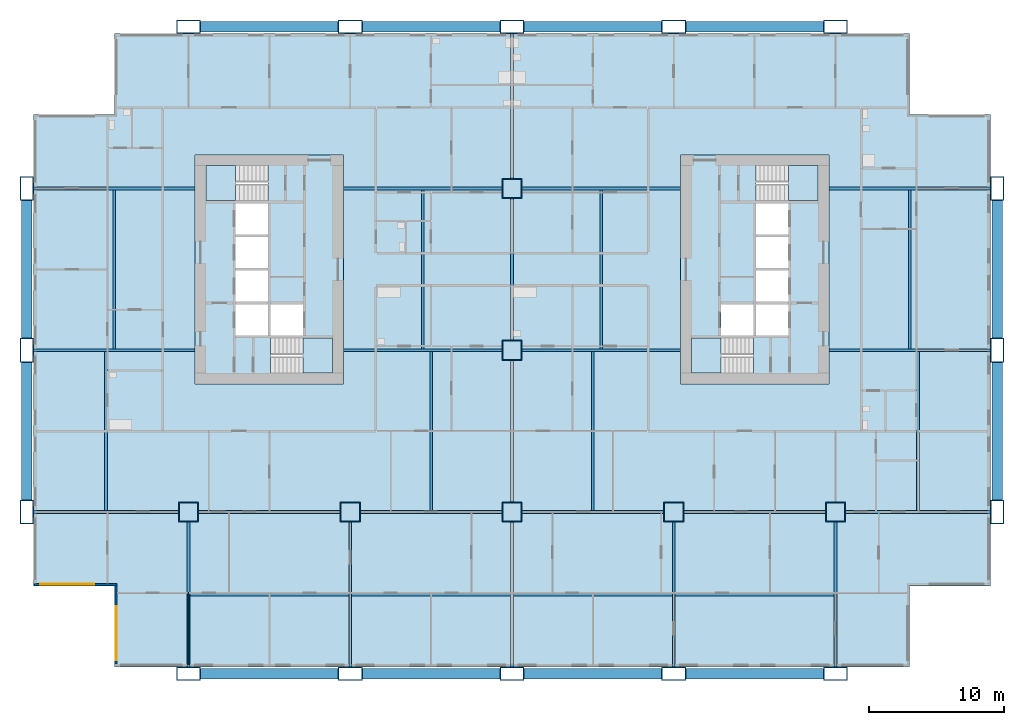
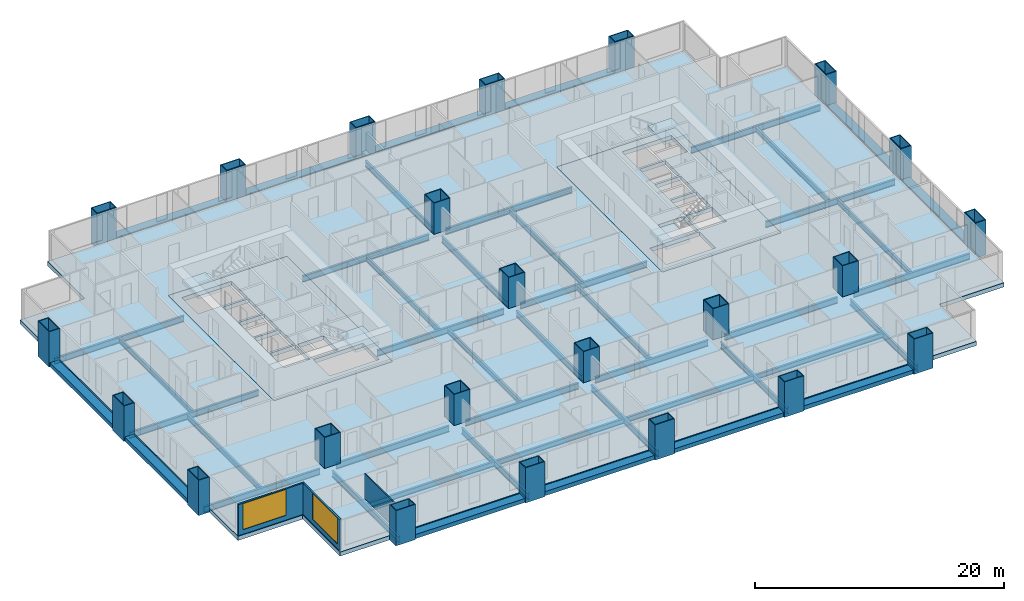
# One storey, part 1 of 14: 46 beams, 23 columns, 7 slabs, 3 walls, 2 windows, 2 openings, 4 elements without a shape of their own.
"""IFC4 building model written with IfcOpenShell, lengths in metres."""

from ifc_helpers import new_model, si_unit, direction, frame, frame_2d, origin, origin_2d, place, context, subcontext, project, spatial, polyline, rectangle, hollow_rectangle, i_section, outline, extrude, material, layer, layer_set, material_profile, profile_set, type_object, element, fill, aggregate, save


model = new_model("IFC4")

# Units and contexts
model_context = context("Model", 3, precision=1e-05, world=origin(), true_north=direction((0.0, 1.0)))
body_context = subcontext(model_context, "Body", "Model", "MODEL_VIEW")
ifc_project = project(units=[si_unit("LENGTHUNIT", "METRE"), si_unit("AREAUNIT", "SQUARE_METRE"), si_unit("VOLUMEUNIT", "CUBIC_METRE"), si_unit("PLANEANGLEUNIT", "RADIAN"), si_unit("MASSUNIT", "GRAM", prefix="KILO")], contexts=[model_context])

# Site, building, storey
site_placement = place(None, origin())
site = spatial("IfcSite", under=ifc_project, at=site_placement, CompositionType="ELEMENT")
building_placement = place(site_placement, origin())
building = spatial("IfcBuilding", under=site, at=building_placement, Name="Kitamizu Gate Tower and Museum", CompositionType="ELEMENT")
storey_placement = place(building_placement, frame((0.0, 0.0, 33.449951171875)))
storey = spatial("IfcBuildingStorey", under=building, at=storey_placement, Name="L06", CompositionType="ELEMENT", Elevation=33.449951171875)

# Columns
ifc_material_1 = material(Name="Steel SM490A bronze coated", Category="steel")
ifc_material_profile_1 = material_profile(ifc_material_1, hollow_rectangle(XDim=1.800048828125, YDim=1.0, WallThickness=0.070068359375, at=origin_2d()), Name="BOX 1800x1000x70")
ifc_profile_set_1 = profile_set([ifc_material_profile_1], Name="Steel SM490A bronze coated")
column_type_1 = type_object("IfcColumnType", Name="Exoskeleton column XC2 BOX 1800x1000x70", PredefinedType="COLUMN", material=ifc_profile_set_1)
for number, where, z_axis, x_axis, name in (
    (1, (0.0, 12.0, -0.39990234375), (0.0, 0.0, 1.0), (0.0, 1.0, 0.0), "Column XC2 1B L06"),
    (2, (0.0, 24.0, -0.39990234375), (0.0, 0.0, 1.0), (0.0, 1.0, 0.0), "Column XC2 1C L06"),
    (3, (0.0, 36.0, -0.39990234375), (0.0, 0.0, 1.0), (0.0, 1.0, 0.0), "Column XC2 1D L06"),
    (4, (12.0, 0.0, -0.39990234375), (0.0, 0.0, 1.0), (1.0, 0.0, 0.0), "Column XC2 2A L06"),
    (5, (12.0, 48.0, -0.39990234375), (0.0, 0.0, 1.0), (1.0, 0.0, 0.0), "Column XC2 2E L06"),
    (6, (24.0, 0.0, -0.39990234375), (0.0, 0.0, 1.0), (1.0, 0.0, 0.0), "Column XC2 3A L06"),
    (7, (24.0, 48.0, -0.39990234375), (0.0, 0.0, 1.0), (1.0, 0.0, 0.0), "Column XC2 3E L06"),
    (8, (36.0, 0.0, -0.39990234375), (0.0, 0.0, 1.0), (1.0, 0.0, 0.0), "Column XC2 4A L06"),
    (9, (36.0, 48.0, -0.39990234375), (0.0, 0.0, 1.0), (1.0, 0.0, 0.0), "Column XC2 4E L06"),
    (10, (48.0, 0.0, -0.39990234375), (0.0, 0.0, 1.0), (1.0, 0.0, 0.0), "Column XC2 5A L06"),
    (11, (48.0, 48.0, -0.39990234375), (0.0, 0.0, 1.0), (1.0, 0.0, 0.0), "Column XC2 5E L06"),
    (12, (60.0, 0.0, -0.39990234375), (0.0, 0.0, 1.0), (1.0, 0.0, 0.0), "Column XC2 6A L06"),
    (13, (60.0, 48.0, -0.39990234375), (0.0, 0.0, 1.0), (1.0, 0.0, 0.0), "Column XC2 6E L06"),
    (14, (72.0, 12.0, -0.39990234375), (0.0, 0.0, 1.0), (0.0, 1.0, 0.0), "Column XC2 7B L06"),
    (15, (72.0, 24.0, -0.39990234375), (0.0, 0.0, 1.0), (0.0, 1.0, 0.0), "Column XC2 7C L06"),
    (16, (72.0, 36.0, -0.39990234375), (0.0, 0.0, 1.0), (0.0, 1.0, 0.0), "Column XC2 7D L06"),
):
    element("IfcColumn", number, at=place(storey_placement, frame(where, z_axis=z_axis, x_axis=x_axis)), inside=storey, type_object=column_type_1, Name=name, PredefinedType="COLUMN", context=body_context, shape_type="SweptSolid", body=[
        extrude(hollow_rectangle(XDim=1.800048828125, YDim=1.0, WallThickness=0.070068359375, at=origin_2d()), origin(), (0.0, 0.0, 1.0), 3.449951171875),
    ])
ifc_material_2 = material(Name="Steel SM490A", Category="steel")
ifc_material_profile_2 = material_profile(ifc_material_2, hollow_rectangle(XDim=1.5, YDim=1.5, WallThickness=0.06494140625, at=origin_2d()), Name="BOX 1500x1500x65")
ifc_profile_set_2 = profile_set([ifc_material_profile_2], Name="Steel SM490A")
column_type_2 = type_object("IfcColumnType", Name="Interior column IC2 BOX 1500x1500x65", PredefinedType="COLUMN", material=ifc_profile_set_2)
for number, where, z_axis, x_axis, name in (
    (17, (12.0, 12.0, 0.0), (0.0, 0.0, 1.0), (1.0, 0.0, 0.0), "Column IC2 2B L06"),
    (18, (24.0, 12.0, 0.0), (0.0, 0.0, 1.0), (1.0, 0.0, 0.0), "Column IC2 3B L06"),
    (19, (36.0, 12.0, 0.0), (0.0, 0.0, 1.0), (1.0, 0.0, 0.0), "Column IC2 4B L06"),
    (20, (36.0, 24.0, 0.0), (0.0, 0.0, 1.0), (1.0, 0.0, 0.0), "Column IC2 4C L06"),
    (21, (36.0, 36.0, 0.0), (0.0, 0.0, 1.0), (1.0, 0.0, 0.0), "Column IC2 4D L06"),
    (22, (48.0, 12.0, 0.0), (0.0, 0.0, 1.0), (1.0, 0.0, 0.0), "Column IC2 5B L06"),
    (23, (60.0, 12.0, 0.0), (0.0, 0.0, 1.0), (1.0, 0.0, 0.0), "Column IC2 6B L06"),
):
    element("IfcColumn", number, at=place(storey_placement, frame(where, z_axis=z_axis, x_axis=x_axis)), inside=storey, type_object=column_type_2, Name=name, PredefinedType="COLUMN", context=body_context, shape_type="SweptSolid", body=[
        extrude(hollow_rectangle(XDim=1.5, YDim=1.5, WallThickness=0.06494140625, at=origin_2d()), origin(), (0.0, 0.0, 1.0), 3.050048828125),
    ])

# Beams
ifc_material_3 = material(Name="Steel SM490A bronze coated", Category="steel")
ifc_material_profile_3 = material_profile(ifc_material_3, hollow_rectangle(XDim=0.800048828125, YDim=0.39990234375, WallThickness=0.0400390625, at=origin_2d()), Name="BOX 800x400x40")
ifc_profile_set_3 = profile_set([ifc_material_profile_3], Name="Steel SM490A bronze coated")
beam_type_1 = type_object("IfcBeamType", Name="Exoskeleton spandrel beam SB1 BOX 800x400x40", PredefinedType="SPANDREL", material=ifc_profile_set_3)
for number, where, z_axis, x_axis, name in (
    (24, (12.89990234375, 0.0, -0.199951171875), (1.0, 0.0, 0.0), (0.0, 1.0, 0.0), "Exoskeleton spandrel beam south 12 L06"),
    (25, (24.89990234375, 0.0, -0.199951171875), (1.0, 0.0, 0.0), (0.0, 1.0, 0.0), "Exoskeleton spandrel beam south 24 L06"),
    (26, (36.89990234375, 0.0, -0.199951171875), (1.0, 0.0, 0.0), (0.0, 1.0, 0.0), "Exoskeleton spandrel beam south 36 L06"),
    (27, (48.89990234375, 0.0, -0.199951171875), (1.0, 0.0, 0.0), (0.0, 1.0, 0.0), "Exoskeleton spandrel beam south 48 L06"),
    (28, (12.89990234375, 48.0, -0.199951171875), (1.0, 0.0, 0.0), (0.0, 1.0, 0.0), "Exoskeleton spandrel beam north 12 L06"),
    (29, (24.89990234375, 48.0, -0.199951171875), (1.0, 0.0, 0.0), (0.0, 1.0, 0.0), "Exoskeleton spandrel beam north 24 L06"),
    (30, (36.89990234375, 48.0, -0.199951171875), (1.0, 0.0, 0.0), (0.0, 1.0, 0.0), "Exoskeleton spandrel beam north 36 L06"),
    (31, (48.89990234375, 48.0, -0.199951171875), (1.0, 0.0, 0.0), (0.0, 1.0, 0.0), "Exoskeleton spandrel beam north 48 L06"),
    (32, (0.0, 12.89990234375, -0.199951171875), (0.0, 1.0, 0.0), (-1.0, 0.0, 0.0), "Exoskeleton spandrel beam west 12 L06"),
    (33, (0.0, 24.89990234375, -0.199951171875), (0.0, 1.0, 0.0), (-1.0, 0.0, 0.0), "Exoskeleton spandrel beam west 24 L06"),
    (34, (72.0, 12.89990234375, -0.199951171875), (0.0, 1.0, 0.0), (-1.0, 0.0, 0.0), "Exoskeleton spandrel beam east 12 L06"),
    (35, (72.0, 24.89990234375, -0.199951171875), (0.0, 1.0, 0.0), (-1.0, 0.0, 0.0), "Exoskeleton spandrel beam east 24 L06"),
):
    element("IfcBeam", number, at=place(storey_placement, frame(where, z_axis=z_axis, x_axis=x_axis)), inside=storey, type_object=beam_type_1, Name=name, PredefinedType="SPANDREL", context=body_context, shape_type="SweptSolid", body=[
        extrude(hollow_rectangle(XDim=0.800048828125, YDim=0.39990234375, WallThickness=0.0400390625, at=origin_2d()), origin(), (0.0, 0.0, 1.0), 10.2001953125),
    ])
ifc_material_4 = material(Name="Steel SM490A", Category="steel")
ifc_material_profile_4 = material_profile(ifc_material_4, i_section(OverallWidth=0.199951171875, OverallDepth=0.5, WebThickness=0.010009765625, FlangeThickness=0.01611328125, FilletRadius=0.02001953125, at=origin_2d()), Name="H-500x200x10x16")
ifc_profile_set_4 = profile_set([ifc_material_profile_4], Name="Steel SM490A")
beam_type_2 = type_object("IfcBeamType", Name="Floor beam FB1 H 500x200x10x16", PredefinedType="BEAM", material=ifc_profile_set_4)
for number, where, z_axis, x_axis, name in (
    (36, (12.10009765625, 5.875, -0.64990234375), (1.0, 0.0, 0.0), (0.0, 1.0, 0.0), "Floor beam FB1 L06-1"),
    (37, (24.10009765625, 5.875, -0.64990234375), (1.0, 0.0, 0.0), (0.0, 1.0, 0.0), "Floor beam FB1 L06-2"),
    (38, (36.10009765625, 5.875, -0.64990234375), (1.0, 0.0, 0.0), (0.0, 1.0, 0.0), "Floor beam FB1 L06-3"),
    (39, (48.10009765625, 5.875, -0.64990234375), (1.0, 0.0, 0.0), (0.0, 1.0, 0.0), "Floor beam FB1 L06-4"),
    (40, (5.875, 12.10009765625, -0.64990234375), (0.0, 1.0, 0.0), (-1.0, 0.0, 0.0), "Floor beam FB1 L06-5"),
    (41, (30.0, 12.10009765625, -0.64990234375), (0.0, 1.0, 0.0), (-1.0, 0.0, 0.0), "Floor beam FB1 L06-6"),
    (42, (42.0, 12.10009765625, -0.64990234375), (0.0, 1.0, 0.0), (-1.0, 0.0, 0.0), "Floor beam FB1 L06-7"),
    (43, (66.125, 12.10009765625, -0.64990234375), (0.0, 1.0, 0.0), (-1.0, 0.0, 0.0), "Floor beam FB1 L06-8"),
    (44, (6.5, 24.10009765625, -0.64990234375), (0.0, 1.0, 0.0), (-1.0, 0.0, 0.0), "Floor beam FB1 L06-9"),
    (45, (29.375, 24.10009765625, -0.64990234375), (0.0, 1.0, 0.0), (-1.0, 0.0, 0.0), "Floor beam FB1 L06-10"),
    (46, (42.625, 24.10009765625, -0.64990234375), (0.0, 1.0, 0.0), (-1.0, 0.0, 0.0), "Floor beam FB1 L06-11"),
    (47, (65.5, 24.10009765625, -0.64990234375), (0.0, 1.0, 0.0), (-1.0, 0.0, 0.0), "Floor beam FB1 L06-12"),
):
    element("IfcBeam", number, at=place(storey_placement, frame(where, z_axis=z_axis, x_axis=x_axis)), inside=storey, type_object=beam_type_2, Name=name, PredefinedType="BEAM", context=body_context, shape_type="SweptSolid", body=[
        extrude(i_section(OverallWidth=0.199951171875, OverallDepth=0.5, WebThickness=0.010009765625, FlangeThickness=0.01611328125, FilletRadius=0.02001953125, at=origin_2d()), origin(), (0.0, 0.0, 1.0), 11.7998046875),
    ])
ifc_material_5 = material(Name="Steel SM490A", Category="steel")
ifc_material_profile_5 = material_profile(ifc_material_5, i_section(OverallWidth=0.199951171875, OverallDepth=0.60009765625, WebThickness=0.010986328125, FlangeThickness=0.01708984375, FilletRadius=0.02197265625, at=origin_2d()), Name="H-600x200x11x17")
ifc_profile_set_5 = profile_set([ifc_material_profile_5], Name="Steel SM490A")
beam_type_3 = type_object("IfcBeamType", Name="Floor girder FG1 H 600x200x11x17", PredefinedType="BEAM", material=ifc_profile_set_5)
for number, where, z_axis, x_axis, name in (
    (48, (12.0, 0.5, -0.699951171875), (0.0, 1.0, 0.0), (-1.0, 0.0, 0.0), "Floor girder FG1 x12 L06"),
    (49, (24.0, 0.5, -0.699951171875), (0.0, 1.0, 0.0), (-1.0, 0.0, 0.0), "Floor girder FG1 x24 L06"),
    (50, (36.0, 0.5, -0.699951171875), (0.0, 1.0, 0.0), (-1.0, 0.0, 0.0), "Floor girder FG1 x36 L06"),
):
    element("IfcBeam", number, at=place(storey_placement, frame(where, z_axis=z_axis, x_axis=x_axis)), inside=storey, type_object=beam_type_3, Name=name, PredefinedType="BEAM", context=body_context, shape_type="SweptSolid", body=[
        extrude(i_section(OverallWidth=0.199951171875, OverallDepth=0.60009765625, WebThickness=0.010986328125, FlangeThickness=0.01708984375, FilletRadius=0.02197265625, at=origin_2d()), origin(), (0.0, 0.0, 1.0), 10.75),
    ])
for number, where, z_axis, x_axis, name in (
    (51, (36.0, 12.75, -0.699951171875), (0.0, 1.0, 0.0), (-1.0, 0.0, 0.0), "Floor girder FG1 x36 L06"),
    (52, (36.0, 24.75, -0.699951171875), (0.0, 1.0, 0.0), (-1.0, 0.0, 0.0), "Floor girder FG1 x36 L06"),
):
    element("IfcBeam", number, at=place(storey_placement, frame(where, z_axis=z_axis, x_axis=x_axis)), inside=storey, type_object=beam_type_3, Name=name, PredefinedType="BEAM", context=body_context, shape_type="SweptSolid", body=[
        extrude(i_section(OverallWidth=0.199951171875, OverallDepth=0.60009765625, WebThickness=0.010986328125, FlangeThickness=0.01708984375, FilletRadius=0.02197265625, at=origin_2d()), origin(), (0.0, 0.0, 1.0), 10.5),
    ])
for number, where, z_axis, x_axis, name in (
    (53, (36.0, 36.75, -0.699951171875), (0.0, 1.0, 0.0), (-1.0, 0.0, 0.0), "Floor girder FG1 x36 L06"),
    (54, (48.0, 0.5, -0.699951171875), (0.0, 1.0, 0.0), (-1.0, 0.0, 0.0), "Floor girder FG1 x48 L06"),
    (55, (60.0, 0.5, -0.699951171875), (0.0, 1.0, 0.0), (-1.0, 0.0, 0.0), "Floor girder FG1 x60 L06"),
    (56, (0.5, 12.0, -0.699951171875), (1.0, 0.0, 0.0), (0.0, 1.0, 0.0), "Floor girder FG1 y12 L06"),
):
    element("IfcBeam", number, at=place(storey_placement, frame(where, z_axis=z_axis, x_axis=x_axis)), inside=storey, type_object=beam_type_3, Name=name, PredefinedType="BEAM", context=body_context, shape_type="SweptSolid", body=[
        extrude(i_section(OverallWidth=0.199951171875, OverallDepth=0.60009765625, WebThickness=0.010986328125, FlangeThickness=0.01708984375, FilletRadius=0.02197265625, at=origin_2d()), origin(), (0.0, 0.0, 1.0), 10.75),
    ])
for number, where, z_axis, x_axis, name in (
    (57, (12.75, 12.0, -0.699951171875), (1.0, 0.0, 0.0), (0.0, 1.0, 0.0), "Floor girder FG1 y12 L06"),
    (58, (24.75, 12.0, -0.699951171875), (1.0, 0.0, 0.0), (0.0, 1.0, 0.0), "Floor girder FG1 y12 L06"),
    (59, (36.75, 12.0, -0.699951171875), (1.0, 0.0, 0.0), (0.0, 1.0, 0.0), "Floor girder FG1 y12 L06"),
    (60, (48.75, 12.0, -0.699951171875), (1.0, 0.0, 0.0), (0.0, 1.0, 0.0), "Floor girder FG1 y12 L06"),
):
    element("IfcBeam", number, at=place(storey_placement, frame(where, z_axis=z_axis, x_axis=x_axis)), inside=storey, type_object=beam_type_3, Name=name, PredefinedType="BEAM", context=body_context, shape_type="SweptSolid", body=[
        extrude(i_section(OverallWidth=0.199951171875, OverallDepth=0.60009765625, WebThickness=0.010986328125, FlangeThickness=0.01708984375, FilletRadius=0.02197265625, at=origin_2d()), origin(), (0.0, 0.0, 1.0), 10.5),
    ])
beam_1_placement = place(storey_placement, frame((60.75, 12.0, -0.699951171875), z_axis=(1.0, 0.0, 0.0), x_axis=(0.0, 1.0, 0.0)))
element("IfcBeam", 61, at=beam_1_placement, inside=storey, type_object=beam_type_3, Name="Floor girder FG1 y12 L06", PredefinedType="BEAM", context=body_context, shape_type="SweptSolid", body=[
    extrude(i_section(OverallWidth=0.199951171875, OverallDepth=0.60009765625, WebThickness=0.010986328125, FlangeThickness=0.01708984375, FilletRadius=0.02197265625, at=origin_2d()), origin(), (0.0, 0.0, 1.0), 10.75),
])
beam_2_placement = place(storey_placement, frame((0.5, 24.0, -0.699951171875), z_axis=(1.0, 0.0, 0.0), x_axis=(0.0, 1.0, 0.0)))
element("IfcBeam", 62, at=beam_2_placement, inside=storey, type_object=beam_type_3, Name="Floor girder FG1 y24 L06", PredefinedType="BEAM", context=body_context, shape_type="SweptSolid", body=[
    extrude(i_section(OverallWidth=0.199951171875, OverallDepth=0.60009765625, WebThickness=0.010986328125, FlangeThickness=0.01708984375, FilletRadius=0.02197265625, at=origin_2d()), origin(), (0.0, 0.0, 1.0), 12.0),
])
for number, where, z_axis, x_axis, name in (
    (63, (23.5, 24.0, -0.699951171875), (1.0, 0.0, 0.0), (0.0, 1.0, 0.0), "Floor girder FG1 y24 L06"),
    (64, (36.75, 24.0, -0.699951171875), (1.0, 0.0, 0.0), (0.0, 1.0, 0.0), "Floor girder FG1 y24 L06"),
):
    element("IfcBeam", number, at=place(storey_placement, frame(where, z_axis=z_axis, x_axis=x_axis)), inside=storey, type_object=beam_type_3, Name=name, PredefinedType="BEAM", context=body_context, shape_type="SweptSolid", body=[
        extrude(i_section(OverallWidth=0.199951171875, OverallDepth=0.60009765625, WebThickness=0.010986328125, FlangeThickness=0.01708984375, FilletRadius=0.02197265625, at=origin_2d()), origin(), (0.0, 0.0, 1.0), 11.75),
    ])
for number, where, z_axis, x_axis, name in (
    (65, (59.5, 24.0, -0.699951171875), (1.0, 0.0, 0.0), (0.0, 1.0, 0.0), "Floor girder FG1 y24 L06"),
    (66, (0.5, 36.0, -0.699951171875), (1.0, 0.0, 0.0), (0.0, 1.0, 0.0), "Floor girder FG1 y36 L06"),
):
    element("IfcBeam", number, at=place(storey_placement, frame(where, z_axis=z_axis, x_axis=x_axis)), inside=storey, type_object=beam_type_3, Name=name, PredefinedType="BEAM", context=body_context, shape_type="SweptSolid", body=[
        extrude(i_section(OverallWidth=0.199951171875, OverallDepth=0.60009765625, WebThickness=0.010986328125, FlangeThickness=0.01708984375, FilletRadius=0.02197265625, at=origin_2d()), origin(), (0.0, 0.0, 1.0), 12.0),
    ])
for number, where, z_axis, x_axis, name in (
    (67, (23.5, 36.0, -0.699951171875), (1.0, 0.0, 0.0), (0.0, 1.0, 0.0), "Floor girder FG1 y36 L06"),
    (68, (36.75, 36.0, -0.699951171875), (1.0, 0.0, 0.0), (0.0, 1.0, 0.0), "Floor girder FG1 y36 L06"),
):
    element("IfcBeam", number, at=place(storey_placement, frame(where, z_axis=z_axis, x_axis=x_axis)), inside=storey, type_object=beam_type_3, Name=name, PredefinedType="BEAM", context=body_context, shape_type="SweptSolid", body=[
        extrude(i_section(OverallWidth=0.199951171875, OverallDepth=0.60009765625, WebThickness=0.010986328125, FlangeThickness=0.01708984375, FilletRadius=0.02197265625, at=origin_2d()), origin(), (0.0, 0.0, 1.0), 11.75),
    ])
beam_3_placement = place(storey_placement, frame((59.5, 36.0, -0.699951171875), z_axis=(1.0, 0.0, 0.0), x_axis=(0.0, 1.0, 0.0)))
element("IfcBeam", 69, at=beam_3_placement, inside=storey, type_object=beam_type_3, Name="Floor girder FG1 y36 L06", PredefinedType="BEAM", context=body_context, shape_type="SweptSolid", body=[
    extrude(i_section(OverallWidth=0.199951171875, OverallDepth=0.60009765625, WebThickness=0.010986328125, FlangeThickness=0.01708984375, FilletRadius=0.02197265625, at=origin_2d()), origin(), (0.0, 0.0, 1.0), 12.0),
])

# Slabs
ifc_material_6 = material(Name="Concrete Fc36", Category="concrete")
ifc_layer_1 = layer(ifc_material_6, 0.39990234375)
ifc_layer_set_1 = layer_set([ifc_layer_1], Name="Concrete Fc36")
slab_type_1 = type_object("IfcSlabType", Name="Core floor slab 400", PredefinedType="FLOOR", material=ifc_layer_set_1)
slab_1_placement = place(storey_placement, frame((0.0, 0.0, -0.39990234375)))
element("IfcSlab", 70, at=slab_1_placement, inside=storey, type_object=slab_type_1, Name="Core floor slab W", PredefinedType="FLOOR", context=body_context, shape_type="SweptSolid", body=[
    extrude(outline(polyline([(12.5, 21.5), (23.5, 21.5), (23.5, 38.5), (12.5, 38.5), (12.5, 21.5)]), holes=[polyline([(15.5, 25.10009765625), (17.89990234375, 25.10009765625), (17.89990234375, 27.39990234375), (15.5, 27.39990234375), (15.5, 25.10009765625)]), polyline([(15.5, 27.60009765625), (17.89990234375, 27.60009765625), (17.89990234375, 29.89990234375), (15.5, 29.89990234375), (15.5, 27.60009765625)]), polyline([(15.5, 30.10009765625), (17.89990234375, 30.10009765625), (17.89990234375, 32.39990234375), (15.5, 32.39990234375), (15.5, 30.10009765625)]), polyline([(15.5, 32.60009765625), (17.89990234375, 32.60009765625), (17.89990234375, 34.89990234375), (15.5, 34.89990234375), (15.5, 32.60009765625)]), polyline([(18.10009765625, 25.10009765625), (20.5, 25.10009765625), (20.5, 27.39990234375), (18.10009765625, 27.39990234375), (18.10009765625, 25.10009765625)]), polyline([(18.1005859375, 22.300048828125), (22.699951171875, 22.300048828125), (22.699951171875, 24.89990234375), (18.1005859375, 24.89990234375), (18.1005859375, 22.300048828125)]), polyline([(13.300048828125, 35.10009765625), (17.8994140625, 35.10009765625), (17.8994140625, 37.699951171875), (13.300048828125, 37.699951171875), (13.300048828125, 35.10009765625)])]), origin(), (0.0, 0.0, 1.0), 0.39990234375),
])
slab_2_placement = place(storey_placement, frame((0.0, 0.0, -0.39990234375)))
element("IfcSlab", 71, at=slab_2_placement, inside=storey, type_object=slab_type_1, Name="Core floor slab E", PredefinedType="FLOOR", context=body_context, shape_type="SweptSolid", body=[
    extrude(outline(polyline([(48.5, 21.5), (59.5, 21.5), (59.5, 38.5), (48.5, 38.5), (48.5, 21.5)]), holes=[polyline([(54.10009765625, 25.10009765625), (56.5, 25.10009765625), (56.5, 27.39990234375), (54.10009765625, 27.39990234375), (54.10009765625, 25.10009765625)]), polyline([(54.10009765625, 27.60009765625), (56.5, 27.60009765625), (56.5, 29.89990234375), (54.10009765625, 29.89990234375), (54.10009765625, 27.60009765625)]), polyline([(54.10009765625, 30.10009765625), (56.5, 30.10009765625), (56.5, 32.39990234375), (54.10009765625, 32.39990234375), (54.10009765625, 30.10009765625)]), polyline([(54.10009765625, 32.60009765625), (56.5, 32.60009765625), (56.5, 34.89990234375), (54.10009765625, 34.89990234375), (54.10009765625, 32.60009765625)]), polyline([(51.5, 25.10009765625), (53.89990234375, 25.10009765625), (53.89990234375, 27.39990234375), (51.5, 27.39990234375), (51.5, 25.10009765625)]), polyline([(49.300048828125, 22.300048828125), (53.8994140625, 22.300048828125), (53.8994140625, 24.89990234375), (49.300048828125, 24.89990234375), (49.300048828125, 22.300048828125)]), polyline([(54.1005859375, 35.10009765625), (58.699951171875, 35.10009765625), (58.699951171875, 37.699951171875), (54.1005859375, 37.699951171875), (54.1005859375, 35.10009765625)])]), origin(), (0.0, 0.0, 1.0), 0.39990234375),
])
ifc_material_7 = material(Name="Concrete Fc36", Category="concrete")
ifc_layer_2 = layer(ifc_material_7, 0.39990234375)
ifc_layer_set_2 = layer_set([ifc_layer_2], Name="Concrete Fc36")
slab_type_2 = type_object("IfcSlabType", Name="Post tensioned flat slab 400", PredefinedType="FLOOR", material=ifc_layer_set_2)
slab_3_placement = place(storey_placement, frame((0.0, 0.0, -0.39990234375)))
element("IfcSlab", 72, at=slab_3_placement, inside=storey, type_object=slab_type_2, Name="Floor slab L06-1", PredefinedType="FLOOR", context=body_context, shape_type="SweptSolid", body=[
    extrude(outline(polyline([(0.5, 6.5), (0.5, 41.5), (6.5, 41.5), (6.5, 47.5), (65.5, 47.5), (65.5, 41.5), (71.5, 41.5), (71.5, 6.5), (65.5, 6.5), (65.5, 0.5), (6.5, 0.5), (6.5, 6.5), (0.5, 6.5)]), holes=[polyline([(59.5, 38.5), (48.5, 38.5), (48.5, 21.5), (59.5, 21.5), (59.5, 38.5)]), polyline([(12.5, 38.5), (12.5, 21.5), (23.5, 21.5), (23.5, 38.5), (12.5, 38.5)])]), origin(), (0.0, 0.0, 1.0), 0.39990234375),
])

# Stair, slab
ifc_material_8 = material(Name="Concrete Fc42", Category="concrete")
stair_type = type_object("IfcStairType", Name="Exit stair 1200 wide 192 rise 300 going", PredefinedType="HALF_TURN_STAIR", material=ifc_material_8)
stair_1_placement = place(storey_placement, origin())
stair_1 = element("IfcStair", 73, at=stair_1_placement, inside=storey, type_object=stair_type, Name="Exit stair ST1", PredefinedType="HALF_TURN_STAIR")
ifc_material_9 = material(Name="Concrete Fc42", Category="concrete")
ifc_layer_3 = layer(ifc_material_9, 0.300048828125)
ifc_layer_set_3 = layer_set([ifc_layer_3], Name="Concrete Fc42")
slab_type_3 = type_object("IfcSlabType", Name="Stair landing 300", PredefinedType="LANDING", material=ifc_layer_set_3)
slab_4_placement = place(storey_placement, frame((0.0, 0.0, 1.425048828125)))
slab_4 = element("IfcSlab", 74, at=slab_4_placement, type_object=slab_type_3, Name="ST1 landing 1", PredefinedType="LANDING", context=body_context, shape_type="SweptSolid", body=[
    extrude(outline(polyline([(20.5, 22.300048828125), (22.699951171875, 22.300048828125), (22.699951171875, 24.89990234375), (20.5, 24.89990234375), (20.5, 22.300048828125)])), origin(), (0.0, 0.0, 1.0), 0.300048828125),
])
aggregate(stair_1, [slab_4])

stair_2_placement = place(storey_placement, origin())
stair_2 = element("IfcStair", 75, at=stair_2_placement, inside=storey, type_object=stair_type, Name="Exit stair ST2", PredefinedType="HALF_TURN_STAIR")
slab_5_placement = place(storey_placement, frame((0.0, 0.0, 1.425048828125)))
slab_5 = element("IfcSlab", 76, at=slab_5_placement, type_object=slab_type_3, Name="ST2 landing 1", PredefinedType="LANDING", context=body_context, shape_type="SweptSolid", body=[
    extrude(outline(polyline([(13.300048828125, 35.10009765625), (15.5, 35.10009765625), (15.5, 37.699951171875), (13.300048828125, 37.699951171875), (13.300048828125, 35.10009765625)])), origin(), (0.0, 0.0, 1.0), 0.300048828125),
])
aggregate(stair_2, [slab_5])

stair_3_placement = place(storey_placement, origin())
stair_3 = element("IfcStair", 77, at=stair_3_placement, inside=storey, type_object=stair_type, Name="Exit stair ST3", PredefinedType="HALF_TURN_STAIR")
slab_6_placement = place(storey_placement, frame((0.0, 0.0, 1.425048828125)))
slab_6 = element("IfcSlab", 78, at=slab_6_placement, type_object=slab_type_3, Name="ST3 landing 1", PredefinedType="LANDING", context=body_context, shape_type="SweptSolid", body=[
    extrude(outline(polyline([(49.300048828125, 22.300048828125), (51.5, 22.300048828125), (51.5, 24.89990234375), (49.300048828125, 24.89990234375), (49.300048828125, 22.300048828125)])), origin(), (0.0, 0.0, 1.0), 0.300048828125),
])
aggregate(stair_3, [slab_6])

stair_4_placement = place(storey_placement, origin())
stair_4 = element("IfcStair", 79, at=stair_4_placement, inside=storey, type_object=stair_type, Name="Exit stair ST4", PredefinedType="HALF_TURN_STAIR")
slab_7_placement = place(storey_placement, frame((0.0, 0.0, 1.425048828125)))
slab_7 = element("IfcSlab", 80, at=slab_7_placement, type_object=slab_type_3, Name="ST4 landing 1", PredefinedType="LANDING", context=body_context, shape_type="SweptSolid", body=[
    extrude(outline(polyline([(56.5, 35.10009765625), (58.699951171875, 35.10009765625), (58.699951171875, 37.699951171875), (56.5, 37.699951171875), (56.5, 35.10009765625)])), origin(), (0.0, 0.0, 1.0), 0.300048828125),
])
aggregate(stair_4, [slab_7])

# Wall
ifc_material_10 = material(Name="Gypsum board on galvanised stud")
ifc_layer_4 = layer(ifc_material_10, 0.10009765625)
ifc_layer_set_4 = layer_set([ifc_layer_4], Name="Gypsum board on galvanised stud")
wall_type_1 = type_object("IfcWallType", Name="Partition 100 NOT RATED", PredefinedType="PARTITIONING", material=ifc_layer_set_4)
wall_1_placement = place(storey_placement, frame((12.0, 0.719970703125, 0.0), z_axis=(0.0, 0.0, 1.0), x_axis=(0.0, 1.0, 0.0)))
element("IfcWall", 81, at=wall_1_placement, inside=storey, type_object=wall_type_1, Name="Partition L06-001", PredefinedType="PARTITIONING", context=body_context, shape_type="SweptSolid", body=[
    extrude(rectangle(XDim=5.280029296875, YDim=0.10009765625, at=frame_2d((2.64013671875, 0.0))), origin(), (0.0, 0.0, 1.0), 2.449951171875),
])

# Wall, opening, window
ifc_material_11 = material(Name="Bronze anodised aluminium frame with insulated spandrel and tinted glass", Category="aluminium")
ifc_layer_5 = layer(ifc_material_11, 0.14990234375)
ifc_layer_set_5 = layer_set([ifc_layer_5], Name="Bronze anodised aluminium frame with insulated spandrel and tinted glass")
wall_type_2 = type_object("IfcWallType", Name="WINDOW WALL 150 BRONZE FRAME EI 30", PredefinedType="ELEMENTEDWALL", material=ifc_layer_set_5)
wall_2_placement = place(storey_placement, frame((0.56005859375, 6.635009765625, 0.0), z_axis=(0.0, 0.0, 1.0), x_axis=(1.0, 0.0, 0.0)))
wall_2 = element("IfcWall", 82, at=wall_2_placement, inside=storey, type_object=wall_type_2, Name="Window wall south L06", PredefinedType="ELEMENTEDWALL", context=body_context, shape_type="SweptSolid", body=[
    extrude(rectangle(XDim=6.14990234375, YDim=0.14990234375, at=frame_2d((3.074951171875, 0.0))), origin(), (0.0, 0.0, 1.0), 3.050048828125),
])
opening_1_placement = place(wall_2_placement, frame((0.43994140625, 0.0, 0.449951171875)))
opening_1 = element("IfcOpeningElement", 83, at=opening_1_placement, cuts=wall_2, Name="Opening W16", PredefinedType="OPENING", context=body_context, shape_type="SweptSolid", body=[
    extrude(rectangle(XDim=4.0, YDim=2.550048828125, at=frame_2d((2.0, 1.27490234375))), frame((0.0, 0.0849609375, 0.0), z_axis=(0.0, -1.0, 0.0), x_axis=(1.0, 0.0, 0.0)), (0.0, 0.0, 1.0), 0.169921875),
])
ifc_material_12 = material(Name="Bronze anodised aluminium frame, tinted triple glazing", Category="aluminium")
window_type = type_object("IfcWindowType", Name="WINDOW 4000 x 2550 SILL 450", PartitioningType="SINGLE_PANEL", PredefinedType="WINDOW", material=ifc_material_12)
window_1_placement = place(opening_1_placement, origin())
window_1 = element("IfcWindow", 84, at=window_1_placement, inside=storey, type_object=window_type, Name="Window W16 L06", OverallHeight=2.550048828125, OverallWidth=4.0, PartitioningType="SINGLE_PANEL", PredefinedType="WINDOW", context=body_context, shape_type="SweptSolid", body=[
    extrude(rectangle(XDim=4.0, YDim=2.550048828125, at=frame_2d((2.0, 1.27490234375))), frame((0.0, 0.030029296875, 0.0), z_axis=(0.0, -1.0, 0.0), x_axis=(1.0, 0.0, 0.0)), (0.0, 0.0, 1.0), 0.06005859375),
])
fill(opening_1, window_1)

wall_3_placement = place(storey_placement, frame((6.635009765625, 0.7099609375, 0.0), z_axis=(0.0, 0.0, 1.0), x_axis=(0.0, 1.0, 0.0)))
wall_3 = element("IfcWall", 85, at=wall_3_placement, inside=storey, type_object=wall_type_2, Name="Window wall west L06", PredefinedType="ELEMENTEDWALL", context=body_context, shape_type="SweptSolid", body=[
    extrude(rectangle(XDim=5.85009765625, YDim=0.14990234375, at=frame_2d((2.925048828125, 0.0))), origin(), (0.0, 0.0, 1.0), 3.050048828125),
])
opening_2_placement = place(wall_3_placement, frame((0.2900390625, 0.0, 0.449951171875)))
opening_2 = element("IfcOpeningElement", 86, at=opening_2_placement, cuts=wall_3, Name="Opening W16", PredefinedType="OPENING", context=body_context, shape_type="SweptSolid", body=[
    extrude(rectangle(XDim=4.0, YDim=2.550048828125, at=frame_2d((2.0, 1.27490234375))), frame((0.0, 0.0849609375, 0.0), z_axis=(0.0, -1.0, 0.0), x_axis=(1.0, 0.0, 0.0)), (0.0, 0.0, 1.0), 0.169921875),
])
window_2_placement = place(opening_2_placement, origin())
window_2 = element("IfcWindow", 87, at=window_2_placement, inside=storey, type_object=window_type, Name="Window W16 L06", OverallHeight=2.550048828125, OverallWidth=4.0, PartitioningType="SINGLE_PANEL", PredefinedType="WINDOW", context=body_context, shape_type="SweptSolid", body=[
    extrude(rectangle(XDim=4.0, YDim=2.550048828125, at=frame_2d((2.0, 1.27490234375))), frame((0.0, 0.030029296875, 0.0), z_axis=(0.0, -1.0, 0.0), x_axis=(1.0, 0.0, 0.0)), (0.0, 0.0, 1.0), 0.06005859375),
])
fill(opening_2, window_2)

save(model, "model.ifc")
